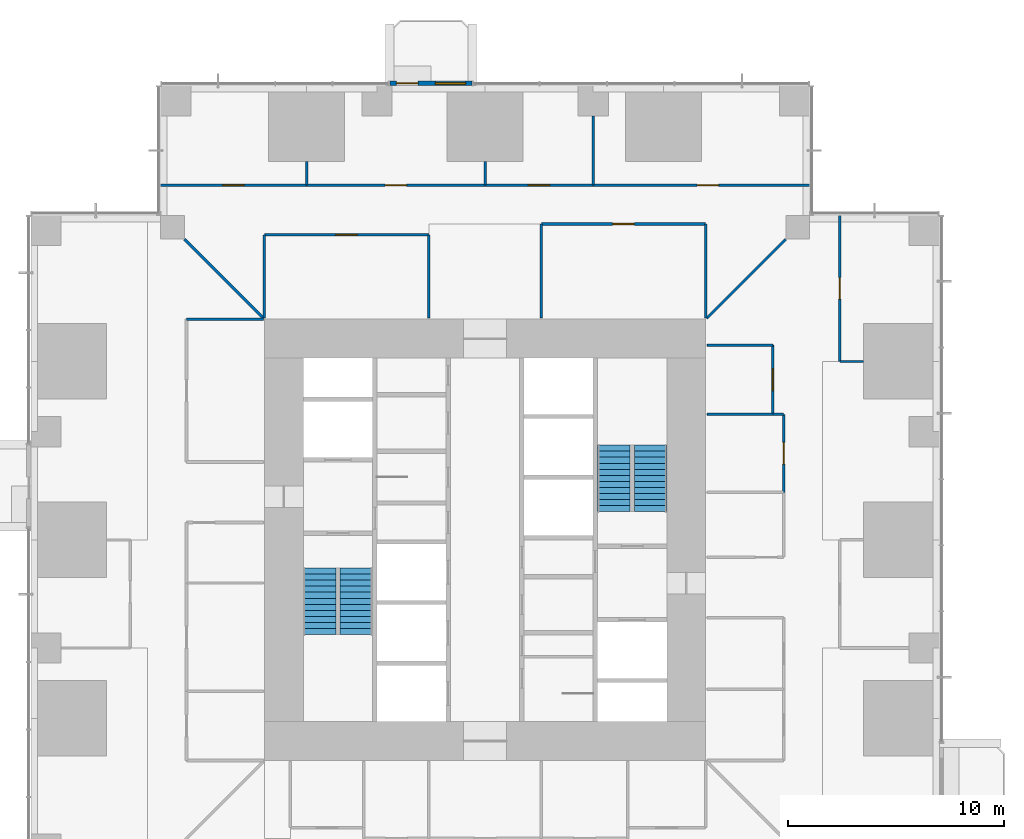
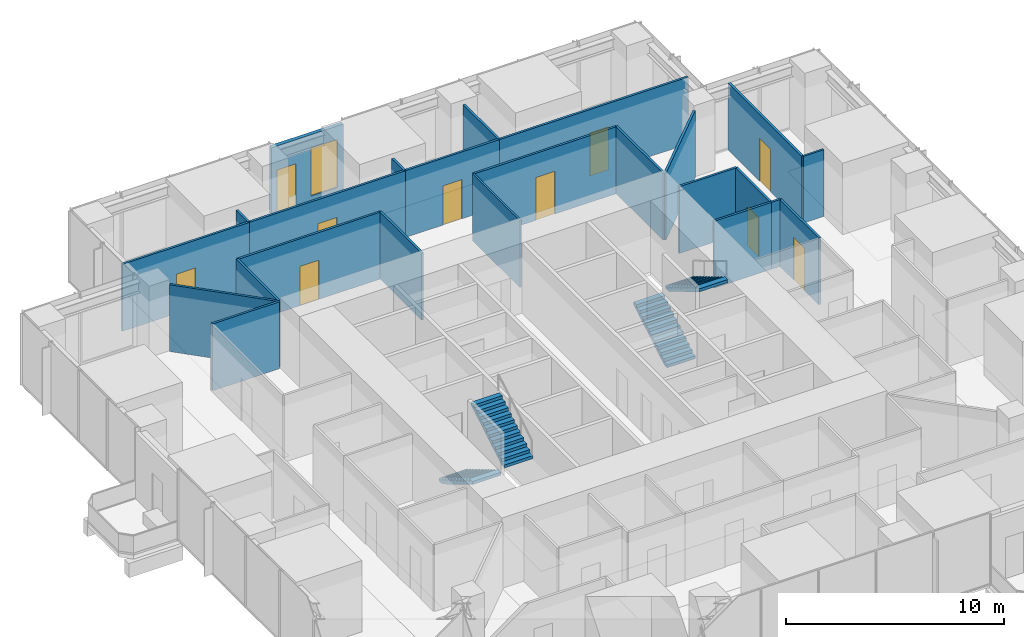
# One storey, part 12 of 16: 24 walls, 10 doors, 4 stair flights, 1 window, 11 openings, 2 elements without a shape of their own.
"""IFC4 building model written with IfcOpenShell, lengths in metres."""

from ifc_helpers import new_model, si_unit, direction, frame, frame_2d, origin, place, context, subcontext, project, spatial, polyline, rectangle, outline, extrude, material, layer, layer_set, type_object, element, fill, aggregate, save


model = new_model("IFC4")

# Units and contexts
model_context = context("Model", 3, precision=1e-05, world=origin(), true_north=direction((0.0, 1.0)))
body_context = subcontext(model_context, "Body", "Model", "MODEL_VIEW")
ifc_project = project(units=[si_unit("LENGTHUNIT", "METRE"), si_unit("AREAUNIT", "SQUARE_METRE"), si_unit("VOLUMEUNIT", "CUBIC_METRE"), si_unit("PLANEANGLEUNIT", "RADIAN"), si_unit("MASSUNIT", "GRAM", prefix="KILO")], contexts=[model_context])

# Site, building, storey
site_placement = place(None, origin())
site = spatial("IfcSite", under=ifc_project, at=site_placement, CompositionType="ELEMENT")
building_placement = place(site_placement, origin())
building = spatial("IfcBuilding", under=site, at=building_placement, Name="Svetlomir Tower", CompositionType="ELEMENT")
storey_placement = place(building_placement, frame((0.0, 0.0, 58.5)))
storey = spatial("IfcBuildingStorey", under=building, at=storey_placement, Name="L13", CompositionType="ELEMENT", Elevation=58.5)

# Wall, openings, door, window
ifc_material_1 = material(Name="Bronze anodised aluminium glazed screen", Category="aluminium")
ifc_layer_1 = layer(ifc_material_1, 0.199951171875)
ifc_layer_set_1 = layer_set([ifc_layer_1], Name="Bronze anodised aluminium glazed screen")
wall_type_1 = type_object("IfcWallType", Name="BALCONY SCREEN WALL 200", PredefinedType="USERDEFINED", material=ifc_layer_set_1)
wall_1_placement = place(storey_placement, frame((20.39990234375, 42.10009765625, 0.0), z_axis=(0.0, 0.0, 1.0), x_axis=(-1.0, 0.0, 0.0)))
wall_1 = element("IfcWall", 1, at=wall_1_placement, inside=storey, type_object=wall_type_1, Name="Balcony screen N", ObjectType="GLAZED SCREEN", PredefinedType="USERDEFINED", context=body_context, shape_type="SweptSolid", body=[
    extrude(rectangle(XDim=3.7998046875, YDim=0.199951171875, at=frame_2d((1.89990234375, 0.0))), origin(), (0.0, 0.0, 1.0), 3.75),
])
opening_1_placement = place(wall_1_placement, frame((2.5, 0.0, 0.0)))
opening_1 = element("IfcOpeningElement", 2, at=opening_1_placement, cuts=wall_1, Name="Opening BD", PredefinedType="OPENING", context=body_context, shape_type="SweptSolid", body=[
    extrude(rectangle(XDim=1.0, YDim=2.39990234375, at=frame_2d((0.5, 1.199951171875))), frame((0.0, 0.10986328125, 0.0), z_axis=(0.0, -1.0, 0.0), x_axis=(1.0, 0.0, 0.0)), (0.0, 0.0, 1.0), 0.219970703125),
])
opening_2_placement = place(wall_1_placement, frame((0.300048828125, 0.0, 0.300048828125)))
opening_2 = element("IfcOpeningElement", 3, at=opening_2_placement, cuts=wall_1, Name="Opening WS2", PredefinedType="OPENING", context=body_context, shape_type="SweptSolid", body=[
    extrude(rectangle(XDim=1.39990234375, YDim=2.699951171875, at=frame_2d((0.699951171875, 1.35009765625))), frame((0.0, 0.10986328125, 0.0), z_axis=(0.0, -1.0, 0.0), x_axis=(1.0, 0.0, 0.0)), (0.0, 0.0, 1.0), 0.219970703125),
])
ifc_material_2 = material(Name="Bronze anodised aluminium glazed door", Category="aluminium")
door_type_1 = type_object("IfcDoorType", Name="BALCONY DOOR BD 1000x2400", OperationType="SINGLE_SWING_LEFT", PredefinedType="DOOR", material=ifc_material_2)
door_1_placement = place(opening_1_placement, origin())
door_1 = element("IfcDoor", 4, at=door_1_placement, inside=storey, type_object=door_type_1, Name="Balcony screen N door", OperationType="SINGLE_SWING_LEFT", OverallHeight=2.39990234375, OverallWidth=1.0, PredefinedType="DOOR", context=body_context, shape_type="SweptSolid", body=[
    extrude(rectangle(XDim=1.0, YDim=2.39990234375, at=frame_2d((0.5, 1.199951171875))), frame((0.0, 0.02490234375, 0.0), z_axis=(0.0, -1.0, 0.0), x_axis=(1.0, 0.0, 0.0)), (0.0, 0.0, 1.0), 0.050048828125),
])
fill(opening_1, door_1)
ifc_material_3 = material(Name="Bronze anodised aluminium window", Category="aluminium")
window_type = type_object("IfcWindowType", Name="SCREEN WINDOW WS2 1400x2700", PartitioningType="SINGLE_PANEL", PredefinedType="WINDOW", material=ifc_material_3)
window_placement = place(opening_2_placement, origin())
window = element("IfcWindow", 5, at=window_placement, inside=storey, type_object=window_type, Name="Balcony screen N window 1", OverallHeight=2.699951171875, OverallWidth=1.39990234375, PartitioningType="SINGLE_PANEL", PredefinedType="WINDOW", context=body_context, shape_type="SweptSolid", body=[
    extrude(rectangle(XDim=1.39990234375, YDim=2.699951171875, at=frame_2d((0.699951171875, 1.35009765625))), frame((0.0, 0.030029296875, 0.0), z_axis=(0.0, -1.0, 0.0), x_axis=(1.0, 0.0, 0.0)), (0.0, 0.0, 1.0), 0.06005859375),
])
fill(opening_2, window)

# Walls
ifc_material_4 = material(Name="Framed laminated glass partition", Category="glass")
ifc_layer_2 = layer(ifc_material_4, 0.10009765625)
ifc_layer_set_2 = layer_set([ifc_layer_2], Name="Framed laminated glass partition")
wall_type_2 = type_object("IfcWallType", Name="GLAZED PARTITION 100", PredefinedType="PARTITIONING", material=ifc_layer_set_2)
wall_2_placement = place(storey_placement, frame((23.60009765625, 31.25, 0.0), z_axis=(0.0, 0.0, 1.0), x_axis=(0.0, 1.0, 0.0)))
element("IfcWall", 6, at=wall_2_placement, inside=storey, type_object=wall_type_2, Name="Glazed partition L13", PredefinedType="PARTITIONING", context=body_context, shape_type="SweptSolid", body=[
    extrude(rectangle(XDim=4.35009765625, YDim=0.10009765625, at=frame_2d((2.175048828125, 0.0))), origin(), (0.0, 0.0, 1.0), 3.75),
])
wall_3_placement = place(storey_placement, frame((37.39990234375, 29.25, 0.0), z_axis=(0.0, 0.0, 1.0), x_axis=(1.0, 0.0, 0.0)))
element("IfcWall", 7, at=wall_3_placement, inside=storey, type_object=wall_type_2, Name="Glazed partition L13", PredefinedType="PARTITIONING", context=body_context, shape_type="SweptSolid", body=[
    extrude(rectangle(XDim=1.090087890625, YDim=0.10009765625, at=frame_2d((0.544921875, 0.0))), origin(), (0.0, 0.0, 1.0), 3.75),
])

# Wall, opening, door
ifc_material_5 = material(Name="Gypsum board on steel studs", Category="steel")
ifc_layer_3 = layer(ifc_material_5, 0.1201171875)
ifc_layer_set_3 = layer_set([ifc_layer_3], Name="Gypsum board on steel studs")
wall_type_3 = type_object("IfcWallType", Name="PARTITION 120", PredefinedType="PARTITIONING", material=ifc_layer_set_3)
wall_4_placement = place(storey_placement, frame((6.0, 37.39990234375, 0.0), z_axis=(0.0, 0.0, 1.0), x_axis=(1.0, 0.0, 0.0)))
wall_4 = element("IfcWall", 8, at=wall_4_placement, inside=storey, type_object=wall_type_3, Name="Partition L13", PredefinedType="PARTITIONING", context=body_context, shape_type="SweptSolid", body=[
    extrude(rectangle(XDim=6.75, YDim=0.1201171875, at=frame_2d((3.375, 0.0))), origin(), (0.0, 0.0, 1.0), 3.75),
])
opening_3_placement = place(wall_4_placement, frame((2.875, 0.0, 0.0)))
opening_3 = element("IfcOpeningElement", 9, at=opening_3_placement, cuts=wall_4, Name="Opening DR", PredefinedType="OPENING", context=body_context, shape_type="SweptSolid", body=[
    extrude(rectangle(XDim=1.0, YDim=2.199951171875, at=frame_2d((0.5, 1.10009765625))), frame((0.0, 0.070068359375, 0.0), z_axis=(0.0, -1.0, 0.0), x_axis=(1.0, 0.0, 0.0)), (0.0, 0.0, 1.0), 0.14013671875),
])
ifc_material_6 = material(Name="Timber door, glazed side light", Category="wood")
door_type_2 = type_object("IfcDoorType", Name="DOOR DR 1000x2200", OperationType="SINGLE_SWING_LEFT", PredefinedType="DOOR", material=ifc_material_6)
door_2_placement = place(opening_3_placement, origin())
door_2 = element("IfcDoor", 10, at=door_2_placement, inside=storey, type_object=door_type_2, Name="Data protection officer office door L13", OperationType="SINGLE_SWING_RIGHT", OverallHeight=2.199951171875, OverallWidth=1.0, PredefinedType="DOOR", context=body_context, shape_type="SweptSolid", body=[
    extrude(rectangle(XDim=1.0, YDim=2.199951171875, at=frame_2d((0.5, 1.10009765625))), frame((0.0, 0.02490234375, 0.0), z_axis=(0.0, -1.0, 0.0), x_axis=(1.0, 0.0, 0.0)), (0.0, 0.0, 1.0), 0.050048828125),
])
fill(opening_3, door_2)

# Walls
wall_5_placement = place(storey_placement, frame((7.110107421875, 34.889892578125, 0.0), z_axis=(0.0, 0.0, 1.0), x_axis=(0.707106781187, -0.707106781187, 0.0)))
element("IfcWall", 11, at=wall_5_placement, inside=storey, type_object=wall_type_3, Name="Partition L13", PredefinedType="PARTITIONING", context=body_context, shape_type="SweptSolid", body=[
    extrude(rectangle(XDim=5.168212890625, YDim=0.1201171875, at=frame_2d((2.583984375, 0.0))), origin(), (0.0, 0.0, 1.0), 3.75),
])
wall_6_placement = place(storey_placement, frame((7.199951171875, 31.199951171875, 0.0), z_axis=(0.0, 0.0, 1.0), x_axis=(1.0, 0.0, 0.0)))
element("IfcWall", 12, at=wall_6_placement, inside=storey, type_object=wall_type_3, Name="Partition L13", PredefinedType="PARTITIONING", context=body_context, shape_type="SweptSolid", body=[
    extrude(rectangle(XDim=3.550048828125, YDim=0.1201171875, at=frame_2d((1.77490234375, 0.0))), origin(), (0.0, 0.0, 1.0), 3.75),
])
wall_7_placement = place(storey_placement, frame((10.800048828125, 31.25, 0.0), z_axis=(0.0, 0.0, 1.0), x_axis=(0.0, 1.0, 0.0)))
element("IfcWall", 13, at=wall_7_placement, inside=storey, type_object=wall_type_3, Name="Partition L13", PredefinedType="PARTITIONING", context=body_context, shape_type="SweptSolid", body=[
    extrude(rectangle(XDim=3.85009765625, YDim=0.1201171875, at=frame_2d((1.925048828125, 0.0))), origin(), (0.0, 0.0, 1.0), 3.75),
])

# Wall, opening, door
wall_8_placement = place(storey_placement, frame((10.800048828125, 35.10009765625, 0.0), z_axis=(0.0, 0.0, 1.0), x_axis=(1.0, 0.0, 0.0)))
wall_8 = element("IfcWall", 14, at=wall_8_placement, inside=storey, type_object=wall_type_3, Name="Partition L13", PredefinedType="PARTITIONING", context=body_context, shape_type="SweptSolid", body=[
    extrude(rectangle(XDim=7.599853515625, YDim=0.1201171875, at=frame_2d((3.7998046875, 0.0))), origin(), (0.0, 0.0, 1.0), 3.75),
])
opening_4_placement = place(wall_8_placement, frame((3.300048828125, 0.0, 0.0)))
opening_4 = element("IfcOpeningElement", 15, at=opening_4_placement, cuts=wall_8, Name="Opening DR", PredefinedType="OPENING", context=body_context, shape_type="SweptSolid", body=[
    extrude(rectangle(XDim=1.0, YDim=2.199951171875, at=frame_2d((0.5, 1.10009765625))), frame((0.0, 0.070068359375, 0.0), z_axis=(0.0, -1.0, 0.0), x_axis=(1.0, 0.0, 0.0)), (0.0, 0.0, 1.0), 0.14013671875),
])
door_3_placement = place(opening_4_placement, origin())
door_3 = element("IfcDoor", 16, at=door_3_placement, inside=storey, type_object=door_type_2, Name="Security operations centre door L13", OperationType="SINGLE_SWING_RIGHT", OverallHeight=2.199951171875, OverallWidth=1.0, PredefinedType="DOOR", context=body_context, shape_type="SweptSolid", body=[
    extrude(rectangle(XDim=1.0, YDim=2.199951171875, at=frame_2d((0.5, 1.10009765625))), frame((0.0, 0.02490234375, 0.0), z_axis=(0.0, -1.0, 0.0), x_axis=(1.0, 0.0, 0.0)), (0.0, 0.0, 1.0), 0.050048828125),
])
fill(opening_4, door_3)

# Wall
wall_9_placement = place(storey_placement, frame((12.75, 37.39990234375, 0.0), z_axis=(0.0, 0.0, 1.0), x_axis=(0.0, 1.0, 0.0)))
element("IfcWall", 17, at=wall_9_placement, inside=storey, type_object=wall_type_3, Name="Partition L13", PredefinedType="PARTITIONING", context=body_context, shape_type="SweptSolid", body=[
    extrude(rectangle(XDim=1.090087890625, YDim=0.1201171875, at=frame_2d((0.544921875, 0.0))), origin(), (0.0, 0.0, 1.0), 3.75),
])

# Wall, opening, door
wall_10_placement = place(storey_placement, frame((12.75, 37.39990234375, 0.0), z_axis=(0.0, 0.0, 1.0), x_axis=(1.0, 0.0, 0.0)))
wall_10 = element("IfcWall", 18, at=wall_10_placement, inside=storey, type_object=wall_type_3, Name="Partition L13", PredefinedType="PARTITIONING", context=body_context, shape_type="SweptSolid", body=[
    extrude(rectangle(XDim=8.25, YDim=0.1201171875, at=frame_2d((4.125, 0.0))), origin(), (0.0, 0.0, 1.0), 3.75),
])
opening_5_placement = place(wall_10_placement, frame((3.625, 0.0, 0.0)))
opening_5 = element("IfcOpeningElement", 19, at=opening_5_placement, cuts=wall_10, Name="Opening DG", PredefinedType="OPENING", context=body_context, shape_type="SweptSolid", body=[
    extrude(rectangle(XDim=1.0, YDim=2.39990234375, at=frame_2d((0.5, 1.199951171875))), frame((0.0, 0.070068359375, 0.0), z_axis=(0.0, -1.0, 0.0), x_axis=(1.0, 0.0, 0.0)), (0.0, 0.0, 1.0), 0.14013671875),
])
ifc_material_7 = material(Name="Framed laminated glass door", Category="glass")
door_type_3 = type_object("IfcDoorType", Name="GLAZED DOOR DG 1000x2400", OperationType="SINGLE_SWING_LEFT", PredefinedType="DOOR", material=ifc_material_7)
door_4_placement = place(opening_5_placement, origin())
door_4 = element("IfcDoor", 20, at=door_4_placement, inside=storey, type_object=door_type_3, Name="Ring corridor 4 door 1 L13", OperationType="SINGLE_SWING_RIGHT", OverallHeight=2.39990234375, OverallWidth=1.0, PredefinedType="DOOR", context=body_context, shape_type="SweptSolid", body=[
    extrude(rectangle(XDim=1.0, YDim=2.39990234375, at=frame_2d((0.5, 1.199951171875))), frame((0.0, 0.02490234375, 0.0), z_axis=(0.0, -1.0, 0.0), x_axis=(1.0, 0.0, 0.0)), (0.0, 0.0, 1.0), 0.050048828125),
])
fill(opening_5, door_4)

# Walls
wall_11_placement = place(storey_placement, frame((18.39990234375, 31.25, 0.0), z_axis=(0.0, 0.0, 1.0), x_axis=(0.0, 1.0, 0.0)))
element("IfcWall", 21, at=wall_11_placement, inside=storey, type_object=wall_type_3, Name="Partition L13", PredefinedType="PARTITIONING", context=body_context, shape_type="SweptSolid", body=[
    extrude(rectangle(XDim=3.85009765625, YDim=0.1201171875, at=frame_2d((1.925048828125, 0.0))), origin(), (0.0, 0.0, 1.0), 3.75),
])
wall_12_placement = place(storey_placement, frame((21.0, 37.39990234375, 0.0), z_axis=(0.0, 0.0, 1.0), x_axis=(0.0, 1.0, 0.0)))
element("IfcWall", 22, at=wall_12_placement, inside=storey, type_object=wall_type_3, Name="Partition L13", PredefinedType="PARTITIONING", context=body_context, shape_type="SweptSolid", body=[
    extrude(rectangle(XDim=1.090087890625, YDim=0.1201171875, at=frame_2d((0.544921875, 0.0))), origin(), (0.0, 0.0, 1.0), 3.75),
])

# Wall, opening, door
wall_13_placement = place(storey_placement, frame((21.0, 37.39990234375, 0.0), z_axis=(0.0, 0.0, 1.0), x_axis=(1.0, 0.0, 0.0)))
wall_13 = element("IfcWall", 23, at=wall_13_placement, inside=storey, type_object=wall_type_3, Name="Partition L13", PredefinedType="PARTITIONING", context=body_context, shape_type="SweptSolid", body=[
    extrude(rectangle(XDim=5.0, YDim=0.1201171875, at=frame_2d((2.5, 0.0))), origin(), (0.0, 0.0, 1.0), 3.75),
])
opening_6_placement = place(wall_13_placement, frame((2.0, 0.0, 0.0)))
opening_6 = element("IfcOpeningElement", 24, at=opening_6_placement, cuts=wall_13, Name="Opening DR", PredefinedType="OPENING", context=body_context, shape_type="SweptSolid", body=[
    extrude(rectangle(XDim=1.0, YDim=2.199951171875, at=frame_2d((0.5, 1.10009765625))), frame((0.0, 0.070068359375, 0.0), z_axis=(0.0, -1.0, 0.0), x_axis=(1.0, 0.0, 0.0)), (0.0, 0.0, 1.0), 0.14013671875),
])
door_5_placement = place(opening_6_placement, origin())
door_5 = element("IfcDoor", 25, at=door_5_placement, inside=storey, type_object=door_type_2, Name="Chief information security officer office door L13", OperationType="SINGLE_SWING_LEFT", OverallHeight=2.199951171875, OverallWidth=1.0, PredefinedType="DOOR", context=body_context, shape_type="SweptSolid", body=[
    extrude(rectangle(XDim=1.0, YDim=2.199951171875, at=frame_2d((0.5, 1.10009765625))), frame((0.0, 0.02490234375, 0.0), z_axis=(0.0, -1.0, 0.0), x_axis=(1.0, 0.0, 0.0)), (0.0, 0.0, 1.0), 0.050048828125),
])
fill(opening_6, door_5)

wall_14_placement = place(storey_placement, frame((23.60009765625, 35.60009765625, 0.0), z_axis=(0.0, 0.0, 1.0), x_axis=(1.0, 0.0, 0.0)))
wall_14 = element("IfcWall", 26, at=wall_14_placement, inside=storey, type_object=wall_type_3, Name="Partition L13", PredefinedType="PARTITIONING", context=body_context, shape_type="SweptSolid", body=[
    extrude(rectangle(XDim=7.599853515625, YDim=0.1201171875, at=frame_2d((3.7998046875, 0.0))), origin(), (0.0, 0.0, 1.0), 3.75),
])
opening_7_placement = place(wall_14_placement, frame((3.300048828125, 0.0, 0.0)))
opening_7 = element("IfcOpeningElement", 27, at=opening_7_placement, cuts=wall_14, Name="Opening DG", PredefinedType="OPENING", context=body_context, shape_type="SweptSolid", body=[
    extrude(rectangle(XDim=1.0, YDim=2.39990234375, at=frame_2d((0.5, 1.199951171875))), frame((0.0, 0.070068359375, 0.0), z_axis=(0.0, -1.0, 0.0), x_axis=(1.0, 0.0, 0.0)), (0.0, 0.0, 1.0), 0.14013671875),
])
door_6_placement = place(opening_7_placement, origin())
door_6 = element("IfcDoor", 28, at=door_6_placement, inside=storey, type_object=door_type_3, Name="Incident response room, 12 seats door L13", OperationType="SINGLE_SWING_LEFT", OverallHeight=2.39990234375, OverallWidth=1.0, PredefinedType="DOOR", context=body_context, shape_type="SweptSolid", body=[
    extrude(rectangle(XDim=1.0, YDim=2.39990234375, at=frame_2d((0.5, 1.199951171875))), frame((0.0, 0.02490234375, 0.0), z_axis=(0.0, -1.0, 0.0), x_axis=(1.0, 0.0, 0.0)), (0.0, 0.0, 1.0), 0.050048828125),
])
fill(opening_7, door_6)

# Wall
wall_15_placement = place(storey_placement, frame((26.0, 37.39990234375, 0.0), z_axis=(0.0, 0.0, 1.0), x_axis=(0.0, 1.0, 0.0)))
element("IfcWall", 29, at=wall_15_placement, inside=storey, type_object=wall_type_3, Name="Partition L13", PredefinedType="PARTITIONING", context=body_context, shape_type="SweptSolid", body=[
    extrude(rectangle(XDim=3.190185546875, YDim=0.1201171875, at=frame_2d((1.59521484375, 0.0))), origin(), (0.0, 0.0, 1.0), 3.75),
])

# Wall, opening, door
wall_16_placement = place(storey_placement, frame((26.0, 37.39990234375, 0.0), z_axis=(0.0, 0.0, 1.0), x_axis=(1.0, 0.0, 0.0)))
wall_16 = element("IfcWall", 30, at=wall_16_placement, inside=storey, type_object=wall_type_3, Name="Partition L13", PredefinedType="PARTITIONING", context=body_context, shape_type="SweptSolid", body=[
    extrude(rectangle(XDim=10.0, YDim=0.1201171875, at=frame_2d((5.0, 0.0))), origin(), (0.0, 0.0, 1.0), 3.75),
])
opening_8_placement = place(wall_16_placement, frame((4.800048828125, 0.0, 0.0)))
opening_8 = element("IfcOpeningElement", 31, at=opening_8_placement, cuts=wall_16, Name="Opening DG", PredefinedType="OPENING", context=body_context, shape_type="SweptSolid", body=[
    extrude(rectangle(XDim=1.0, YDim=2.39990234375, at=frame_2d((0.5, 1.199951171875))), frame((0.0, 0.070068359375, 0.0), z_axis=(0.0, -1.0, 0.0), x_axis=(1.0, 0.0, 0.0)), (0.0, 0.0, 1.0), 0.14013671875),
])
door_7_placement = place(opening_8_placement, origin())
door_7 = element("IfcDoor", 32, at=door_7_placement, inside=storey, type_object=door_type_3, Name="Ring corridor 4 door 2 L13", OperationType="SINGLE_SWING_LEFT", OverallHeight=2.39990234375, OverallWidth=1.0, PredefinedType="DOOR", context=body_context, shape_type="SweptSolid", body=[
    extrude(rectangle(XDim=1.0, YDim=2.39990234375, at=frame_2d((0.5, 1.199951171875))), frame((0.0, 0.02490234375, 0.0), z_axis=(0.0, -1.0, 0.0), x_axis=(1.0, 0.0, 0.0)), (0.0, 0.0, 1.0), 0.050048828125),
])
fill(opening_8, door_7)

# Walls
wall_17_placement = place(storey_placement, frame((31.199951171875, 31.25, 0.0), z_axis=(0.0, 0.0, 1.0), x_axis=(0.0, 1.0, 0.0)))
element("IfcWall", 33, at=wall_17_placement, inside=storey, type_object=wall_type_3, Name="Partition L13", PredefinedType="PARTITIONING", context=body_context, shape_type="SweptSolid", body=[
    extrude(rectangle(XDim=4.35009765625, YDim=0.1201171875, at=frame_2d((2.175048828125, 0.0))), origin(), (0.0, 0.0, 1.0), 3.75),
])
wall_18_placement = place(storey_placement, frame((31.2353515625, 31.2353515625, 0.0), z_axis=(0.0, 0.0, 1.0), x_axis=(0.707106781187, 0.707106781187, 0.0)))
element("IfcWall", 34, at=wall_18_placement, inside=storey, type_object=wall_type_3, Name="Partition L13", PredefinedType="PARTITIONING", context=body_context, shape_type="SweptSolid", body=[
    extrude(rectangle(XDim=5.168212890625, YDim=0.1201171875, at=frame_2d((2.583984375, 0.0))), origin(), (0.0, 0.0, 1.0), 3.75),
])
for number, where, z_axis, x_axis, name in (
    (35, (31.25, 26.800048828125, 0.0), (0.0, 0.0, 1.0), (1.0, 0.0, 0.0), "Partition L13"),
    (36, (31.25, 30.0, 0.0), (0.0, 0.0, 1.0), (1.0, 0.0, 0.0), "Partition L13"),
):
    element("IfcWall", number, at=place(storey_placement, frame(where, z_axis=z_axis, x_axis=x_axis)), inside=storey, type_object=wall_type_3, Name=name, PredefinedType="PARTITIONING", context=body_context, shape_type="SweptSolid", body=[
        extrude(rectangle(XDim=3.050048828125, YDim=0.1201171875, at=frame_2d((1.52490234375, 0.0))), origin(), (0.0, 0.0, 1.0), 3.75),
    ])

# Wall, opening, door
wall_19_placement = place(storey_placement, frame((34.300048828125, 26.800048828125, 0.0), z_axis=(0.0, 0.0, 1.0), x_axis=(0.0, 1.0, 0.0)))
wall_19 = element("IfcWall", 37, at=wall_19_placement, inside=storey, type_object=wall_type_3, Name="Partition L13", PredefinedType="PARTITIONING", context=body_context, shape_type="SweptSolid", body=[
    extrude(rectangle(XDim=3.199951171875, YDim=0.1201171875, at=frame_2d((1.60009765625, 0.0))), origin(), (0.0, 0.0, 1.0), 3.75),
])
opening_9_placement = place(wall_19_placement, frame((1.10009765625, 0.0, 0.0)))
opening_9 = element("IfcOpeningElement", 38, at=opening_9_placement, cuts=wall_19, Name="Opening DR", PredefinedType="OPENING", context=body_context, shape_type="SweptSolid", body=[
    extrude(rectangle(XDim=1.0, YDim=2.199951171875, at=frame_2d((0.5, 1.10009765625))), frame((0.0, 0.070068359375, 0.0), z_axis=(0.0, -1.0, 0.0), x_axis=(1.0, 0.0, 0.0)), (0.0, 0.0, 1.0), 0.14013671875),
])
door_8_placement = place(opening_9_placement, origin())
door_8 = element("IfcDoor", 39, at=door_8_placement, inside=storey, type_object=door_type_2, Name="Equipment store door L13", OperationType="SINGLE_SWING_LEFT", OverallHeight=2.199951171875, OverallWidth=1.0, PredefinedType="DOOR", context=body_context, shape_type="SweptSolid", body=[
    extrude(rectangle(XDim=1.0, YDim=2.199951171875, at=frame_2d((0.5, 1.10009765625))), frame((0.0, 0.02490234375, 0.0), z_axis=(0.0, -1.0, 0.0), x_axis=(1.0, 0.0, 0.0)), (0.0, 0.0, 1.0), 0.050048828125),
])
fill(opening_9, door_8)

# Wall
wall_20_placement = place(storey_placement, frame((34.300048828125, 26.800048828125, 0.0), z_axis=(0.0, 0.0, 1.0), x_axis=(1.0, 0.0, 0.0)))
element("IfcWall", 40, at=wall_20_placement, inside=storey, type_object=wall_type_3, Name="Partition L13", PredefinedType="PARTITIONING", context=body_context, shape_type="SweptSolid", body=[
    extrude(rectangle(XDim=0.5, YDim=0.1201171875, at=frame_2d((0.25, 0.0))), origin(), (0.0, 0.0, 1.0), 3.75),
])

# Wall, opening, door
wall_21_placement = place(storey_placement, frame((34.800048828125, 23.199951171875, 0.0), z_axis=(0.0, 0.0, 1.0), x_axis=(0.0, 1.0, 0.0)))
wall_21 = element("IfcWall", 41, at=wall_21_placement, inside=storey, type_object=wall_type_3, Name="Partition L13", PredefinedType="PARTITIONING", context=body_context, shape_type="SweptSolid", body=[
    extrude(rectangle(XDim=3.60009765625, YDim=0.1201171875, at=frame_2d((1.800048828125, 0.0))), origin(), (0.0, 0.0, 1.0), 3.75),
])
opening_10_placement = place(wall_21_placement, frame((1.300048828125, 0.0, 0.0)))
opening_10 = element("IfcOpeningElement", 42, at=opening_10_placement, cuts=wall_21, Name="Opening DG", PredefinedType="OPENING", context=body_context, shape_type="SweptSolid", body=[
    extrude(rectangle(XDim=1.0, YDim=2.39990234375, at=frame_2d((0.5, 1.199951171875))), frame((0.0, 0.070068359375, 0.0), z_axis=(0.0, -1.0, 0.0), x_axis=(1.0, 0.0, 0.0)), (0.0, 0.0, 1.0), 0.14013671875),
])
door_9_placement = place(opening_10_placement, origin())
door_9 = element("IfcDoor", 43, at=door_9_placement, inside=storey, type_object=door_type_3, Name="Meeting room, 6 seats door L13", OperationType="SINGLE_SWING_RIGHT", OverallHeight=2.39990234375, OverallWidth=1.0, PredefinedType="DOOR", context=body_context, shape_type="SweptSolid", body=[
    extrude(rectangle(XDim=1.0, YDim=2.39990234375, at=frame_2d((0.5, 1.199951171875))), frame((0.0, 0.02490234375, 0.0), z_axis=(0.0, -1.0, 0.0), x_axis=(1.0, 0.0, 0.0)), (0.0, 0.0, 1.0), 0.050048828125),
])
fill(opening_10, door_9)

wall_22_placement = place(storey_placement, frame((37.39990234375, 29.25, 0.0), z_axis=(0.0, 0.0, 1.0), x_axis=(0.0, 1.0, 0.0)))
wall_22 = element("IfcWall", 44, at=wall_22_placement, inside=storey, type_object=wall_type_3, Name="Partition L13", PredefinedType="PARTITIONING", context=body_context, shape_type="SweptSolid", body=[
    extrude(rectangle(XDim=6.75, YDim=0.1201171875, at=frame_2d((3.375, 0.0))), origin(), (0.0, 0.0, 1.0), 3.75),
])
opening_11_placement = place(wall_22_placement, frame((2.875, 0.0, 0.0)))
opening_11 = element("IfcOpeningElement", 45, at=opening_11_placement, cuts=wall_22, Name="Opening DG", PredefinedType="OPENING", context=body_context, shape_type="SweptSolid", body=[
    extrude(rectangle(XDim=1.0, YDim=2.39990234375, at=frame_2d((0.5, 1.199951171875))), frame((0.0, 0.070068359375, 0.0), z_axis=(0.0, -1.0, 0.0), x_axis=(1.0, 0.0, 0.0)), (0.0, 0.0, 1.0), 0.14013671875),
])
door_10_placement = place(opening_11_placement, origin())
door_10 = element("IfcDoor", 46, at=door_10_placement, inside=storey, type_object=door_type_3, Name="Data quiet library door L13", OperationType="SINGLE_SWING_LEFT", OverallHeight=2.39990234375, OverallWidth=1.0, PredefinedType="DOOR", context=body_context, shape_type="SweptSolid", body=[
    extrude(rectangle(XDim=1.0, YDim=2.39990234375, at=frame_2d((0.5, 1.199951171875))), frame((0.0, 0.02490234375, 0.0), z_axis=(0.0, -1.0, 0.0), x_axis=(1.0, 0.0, 0.0)), (0.0, 0.0, 1.0), 0.050048828125),
])
fill(opening_11, door_10)

# Stair, stair flights
ifc_material_8 = material(Name="Concrete C60/75", Category="concrete")
stair_type = type_object("IfcStairType", Name="EXIT STAIR 3200 RISE 4000", PredefinedType="HALF_TURN_STAIR", material=ifc_material_8)
stair_1_placement = place(storey_placement, origin())
stair_1 = element("IfcStair", 47, at=stair_1_placement, inside=storey, type_object=stair_type, Name="Stair S1 L13 to L14", PredefinedType="HALF_TURN_STAIR")
ifc_material_9 = material(Name="Concrete C60/75", Category="concrete")
stair_flight_type = type_object("IfcStairFlightType", Name="STAIR FLIGHT 1500 OF 12 RISERS", PredefinedType="STRAIGHT", material=ifc_material_9)
stair_flight_1_placement = place(storey_placement, frame((13.35009765625, 19.699951171875, 0.0), z_axis=(0.0, 0.0, 1.0), x_axis=(0.0, -1.0, 0.0)))
stair_flight_1 = element("IfcStairFlight", 48, at=stair_flight_1_placement, type_object=stair_flight_type, Name="S1 flight 1", NumberOfRisers=12, NumberOfTreads=11, PredefinedType="STRAIGHT", RiserHeight=0.166666667, TreadLength=0.28, context=body_context, shape_type="SweptSolid", body=[
    extrude(outline(polyline([(0.0, 0.0), (0.0, 0.166748046875), (0.280029296875, 0.166748046875), (0.280029296875, 0.333251953125), (0.56005859375, 0.333251953125), (0.56005859375, 0.5), (0.840087890625, 0.5), (0.840087890625, 0.666748046875), (1.1201171875, 0.666748046875), (1.1201171875, 0.833251953125), (1.39990234375, 0.833251953125), (1.39990234375, 1.0), (1.679931640625, 1.0), (1.679931640625, 1.166748046875), (1.9599609375, 1.166748046875), (1.9599609375, 1.333251953125), (2.239990234375, 1.333251953125), (2.239990234375, 1.5), (2.52001953125, 1.5), (2.52001953125, 1.666748046875), (2.800048828125, 1.666748046875), (2.800048828125, 1.833251953125), (3.080078125, 1.833251953125), (3.080078125, 2.0), (3.080078125, 1.658935546875), (0.29296875, 0.0), (0.0, 0.0)])), frame((0.0, 0.75, 0.0), z_axis=(0.0, -1.0, 0.0), x_axis=(1.0, 0.0, 0.0)), (0.0, 0.0, 1.0), 1.5),
])
stair_flight_2_placement = place(storey_placement, frame((15.050048828125, 16.6201171875, 2.0), z_axis=(0.0, 0.0, 1.0), x_axis=(0.0, 1.0, 0.0)))
stair_flight_2 = element("IfcStairFlight", 49, at=stair_flight_2_placement, type_object=stair_flight_type, Name="S1 flight 2", NumberOfRisers=12, NumberOfTreads=11, PredefinedType="STRAIGHT", RiserHeight=0.166666667, TreadLength=0.28, context=body_context, shape_type="SweptSolid", body=[
    extrude(outline(polyline([(0.0, 0.0), (0.0, 0.166748046875), (0.280029296875, 0.166748046875), (0.280029296875, 0.333251953125), (0.56005859375, 0.333251953125), (0.56005859375, 0.5), (0.840087890625, 0.5), (0.840087890625, 0.666748046875), (1.1201171875, 0.666748046875), (1.1201171875, 0.833251953125), (1.39990234375, 0.833251953125), (1.39990234375, 1.0), (1.679931640625, 1.0), (1.679931640625, 1.166748046875), (1.9599609375, 1.166748046875), (1.9599609375, 1.333251953125), (2.239990234375, 1.333251953125), (2.239990234375, 1.5), (2.52001953125, 1.5), (2.52001953125, 1.666748046875), (2.800048828125, 1.666748046875), (2.800048828125, 1.833251953125), (3.080078125, 1.833251953125), (3.080078125, 2.0), (3.080078125, 1.658935546875), (0.29296875, 0.0), (0.0, 0.0)])), frame((0.0, 0.75, 0.0), z_axis=(0.0, -1.0, 0.0), x_axis=(1.0, 0.0, 0.0)), (0.0, 0.0, 1.0), 1.5),
])
aggregate(stair_1, [stair_flight_1, stair_flight_2])

stair_2_placement = place(storey_placement, origin())
stair_2 = element("IfcStair", 50, at=stair_2_placement, inside=storey, type_object=stair_type, Name="Stair S2 L13 to L14", PredefinedType="HALF_TURN_STAIR")
stair_flight_3_placement = place(storey_placement, frame((26.949951171875, 22.300048828125, 0.0), z_axis=(0.0, 0.0, 1.0), x_axis=(0.0, 1.0, 0.0)))
stair_flight_3 = element("IfcStairFlight", 51, at=stair_flight_3_placement, type_object=stair_flight_type, Name="S2 flight 1", NumberOfRisers=12, NumberOfTreads=11, PredefinedType="STRAIGHT", RiserHeight=0.166666667, TreadLength=0.28, context=body_context, shape_type="SweptSolid", body=[
    extrude(outline(polyline([(0.0, 0.0), (0.0, 0.166748046875), (0.280029296875, 0.166748046875), (0.280029296875, 0.333251953125), (0.56005859375, 0.333251953125), (0.56005859375, 0.5), (0.840087890625, 0.5), (0.840087890625, 0.666748046875), (1.1201171875, 0.666748046875), (1.1201171875, 0.833251953125), (1.39990234375, 0.833251953125), (1.39990234375, 1.0), (1.679931640625, 1.0), (1.679931640625, 1.166748046875), (1.9599609375, 1.166748046875), (1.9599609375, 1.333251953125), (2.239990234375, 1.333251953125), (2.239990234375, 1.5), (2.52001953125, 1.5), (2.52001953125, 1.666748046875), (2.800048828125, 1.666748046875), (2.800048828125, 1.833251953125), (3.080078125, 1.833251953125), (3.080078125, 2.0), (3.080078125, 1.658935546875), (0.29296875, 0.0), (0.0, 0.0)])), frame((0.0, 0.75, 0.0), z_axis=(0.0, -1.0, 0.0), x_axis=(1.0, 0.0, 0.0)), (0.0, 0.0, 1.0), 1.5),
])
stair_flight_4_placement = place(storey_placement, frame((28.64990234375, 25.3798828125, 2.0), z_axis=(0.0, 0.0, 1.0), x_axis=(0.0, -1.0, 0.0)))
stair_flight_4 = element("IfcStairFlight", 52, at=stair_flight_4_placement, type_object=stair_flight_type, Name="S2 flight 2", NumberOfRisers=12, NumberOfTreads=11, PredefinedType="STRAIGHT", RiserHeight=0.166666667, TreadLength=0.28, context=body_context, shape_type="SweptSolid", body=[
    extrude(outline(polyline([(0.0, 0.0), (0.0, 0.166748046875), (0.280029296875, 0.166748046875), (0.280029296875, 0.333251953125), (0.56005859375, 0.333251953125), (0.56005859375, 0.5), (0.840087890625, 0.5), (0.840087890625, 0.666748046875), (1.1201171875, 0.666748046875), (1.1201171875, 0.833251953125), (1.39990234375, 0.833251953125), (1.39990234375, 1.0), (1.679931640625, 1.0), (1.679931640625, 1.166748046875), (1.9599609375, 1.166748046875), (1.9599609375, 1.333251953125), (2.239990234375, 1.333251953125), (2.239990234375, 1.5), (2.52001953125, 1.5), (2.52001953125, 1.666748046875), (2.800048828125, 1.666748046875), (2.800048828125, 1.833251953125), (3.080078125, 1.833251953125), (3.080078125, 2.0), (3.080078125, 1.658935546875), (0.29296875, 0.0), (0.0, 0.0)])), frame((0.0, 0.75, 0.0), z_axis=(0.0, -1.0, 0.0), x_axis=(1.0, 0.0, 0.0)), (0.0, 0.0, 1.0), 1.5),
])
aggregate(stair_2, [stair_flight_3, stair_flight_4])

save(model, "model.ifc")
